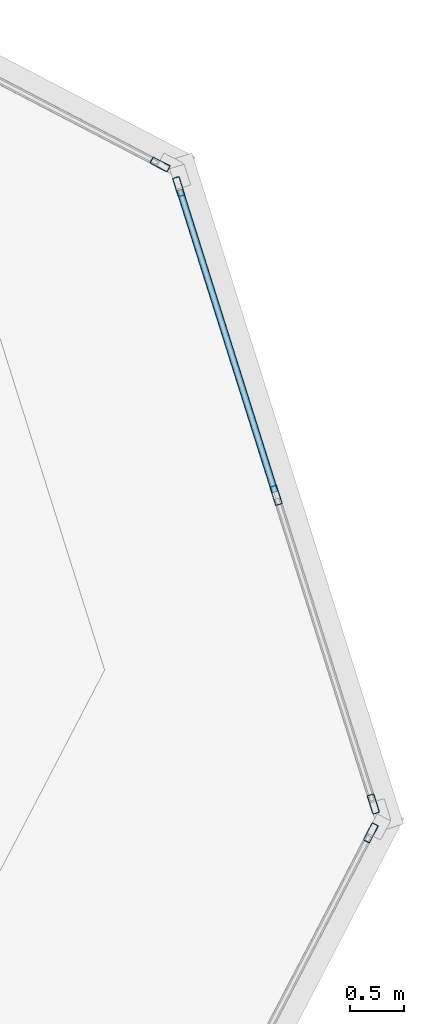
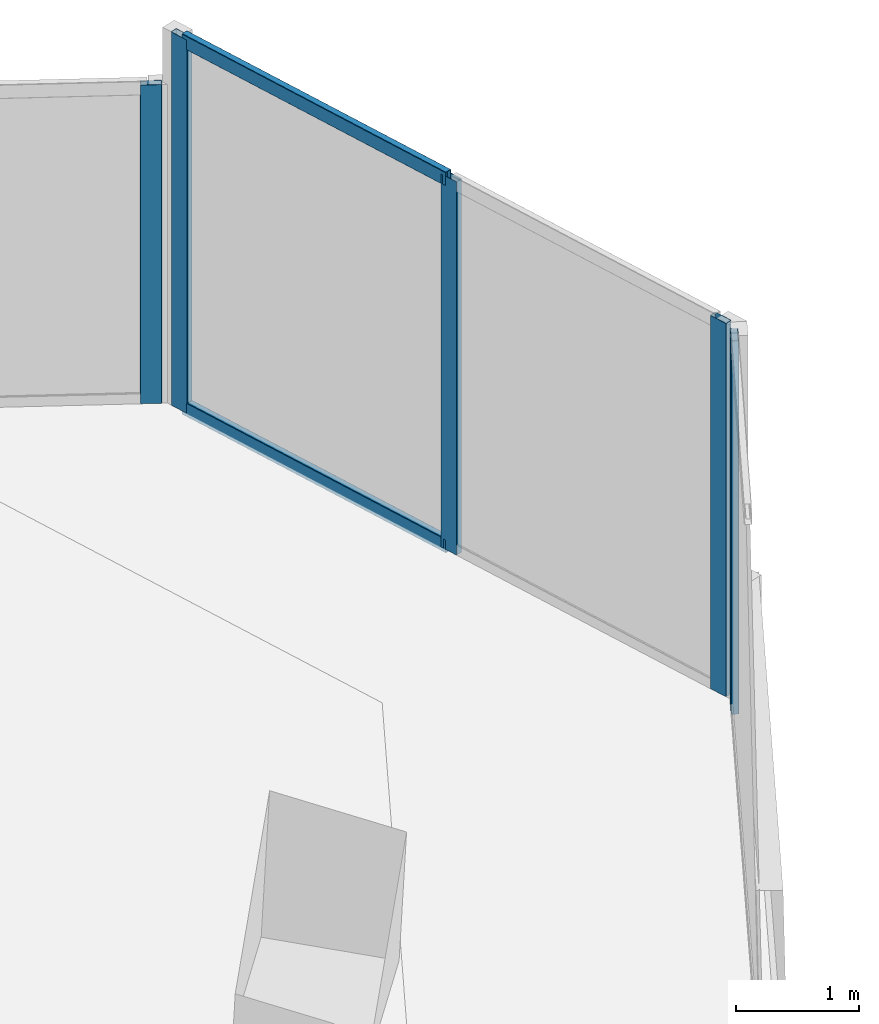
# One storey, part 10 of 22: 7 members, 3 elements without a shape of their own.
"""IFC4 building model written with IfcOpenShell, lengths in metres."""

from ifc_helpers import new_model, si_unit, direction, frame, origin, origin_2d, place, context, subcontext, project, spatial, hollow_rectangle, extrude, source, transform, mapped, material, material_profile, profile_set, type_object, element, aggregate, save


model = new_model("IFC4")

# Units and contexts
model_context = context("Model", 3, precision=1e-05, world=origin(), true_north=direction((0.0, 1.0)))
body_context = subcontext(model_context, "Body", "Model", "MODEL_VIEW")
ifc_project = project(units=[si_unit("LENGTHUNIT", "METRE"), si_unit("AREAUNIT", "SQUARE_METRE"), si_unit("VOLUMEUNIT", "CUBIC_METRE"), si_unit("PLANEANGLEUNIT", "RADIAN"), si_unit("MASSUNIT", "GRAM", prefix="KILO")], contexts=[model_context])

# Site, building, storey
site_placement = place(None, origin())
site = spatial("IfcSite", under=ifc_project, at=site_placement, CompositionType="ELEMENT")
building_placement = place(site_placement, origin())
building = spatial("IfcBuilding", under=site, at=building_placement, Name="Torre Montelarca", CompositionType="ELEMENT")
storey_placement = place(building_placement, frame((0.0, 0.0, 175.0)))
storey = spatial("IfcBuildingStorey", under=building, at=storey_placement, Name="L39", CompositionType="ELEMENT", Elevation=175.0)

# Curtain wall, members
ifc_material_1 = material(Name="Insulated low-E laminated glass", Category="glass")
curtain_wall_type = type_object("IfcCurtainWallType", Name="CW-SYS-Z2", PredefinedType="USERDEFINED", material=ifc_material_1)
curtain_wall_1_placement = place(storey_placement, origin())
curtain_wall_1 = element("IfcCurtainWall", 1, at=curtain_wall_1_placement, inside=storey, type_object=curtain_wall_type, Name="L39 Curtain Wall Run CW-T3-L39-E07-B1", ObjectType="UNITISED GLAZING", PredefinedType="USERDEFINED")
ifc_material_2 = material(Name="Anodised aluminium AA 6063-T6", Category="aluminium")
ifc_material_profile_1 = material_profile(ifc_material_2, hollow_rectangle(XDim=0.06494140625, YDim=0.139892578125, WallThickness=0.00390625, InnerFilletRadius=0.00390625, OuterFilletRadius=0.008056640625, at=origin_2d()), Name="ALU65X140X4", Category="aluminium")
ifc_profile_set_1 = profile_set([ifc_material_profile_1], Name="Anodised aluminium AA 6063-T6")
member_type_1 = type_object("IfcMemberType", Name="CWT-ALU140", PredefinedType="USERDEFINED", material=ifc_profile_set_1)
shared_shape_1 = source(origin(), body_context, "Body", "SweptSolid", [
    extrude(hollow_rectangle(XDim=0.06494140625, YDim=0.139892578125, WallThickness=0.00390625, InnerFilletRadius=0.00390625, OuterFilletRadius=0.008056640625, at=origin_2d()), origin(), (0.0, 0.0, 1.0), 2.918701171875),
])
member_1_placement = place(storey_placement, frame((52.77685546875, 31.367431640625, 0.032470703125), z_axis=(-0.30062691611, 0.953741819, 0.0), x_axis=(-0.953741819, -0.30062691611, 0.0)))
member_1 = element("IfcMember", 2, at=member_1_placement, type_object=member_type_1, Name="CW transom 2.1", ObjectType="TRANSOM", PredefinedType="USERDEFINED", context=body_context, shape_type="MappedRepresentation", body=[
    mapped(shared_shape_1, transform((0.0, 0.0, 0.0), scale=1.0)),
])
member_2_placement = place(storey_placement, frame((52.77685546875, 31.367431640625, 3.6875), z_axis=(-0.30062691611, 0.953741819, 0.0), x_axis=(-0.953741819, -0.30062691611, 0.0)))
member_2 = element("IfcMember", 3, at=member_2_placement, type_object=member_type_1, Name="CW transom 2.2", ObjectType="TRANSOM", PredefinedType="USERDEFINED", context=body_context, shape_type="MappedRepresentation", body=[
    mapped(shared_shape_1, transform((0.0, 0.0, 0.0), scale=1.0)),
])

# Curtain wall, member
curtain_wall_2_placement = place(storey_placement, origin())
curtain_wall_2 = element("IfcCurtainWall", 4, at=curtain_wall_2_placement, inside=storey, type_object=curtain_wall_type, Name="L39 Curtain Wall Run CW-T3-L39-E06-B1", ObjectType="UNITISED GLAZING", PredefinedType="USERDEFINED")
ifc_material_profile_2 = material_profile(ifc_material_2, hollow_rectangle(XDim=0.06494140625, YDim=0.179931640625, WallThickness=0.00390625, InnerFilletRadius=0.00390625, OuterFilletRadius=0.008056640625, at=origin_2d()), Name="ALU65X180X4", Category="aluminium")
ifc_profile_set_2 = profile_set([ifc_material_profile_2], Name="Anodised aluminium AA 6063-T6")
member_type_2 = type_object("IfcMemberType", Name="CWM-ALU180", PredefinedType="MULLION", material=ifc_profile_set_2)
shared_shape_2 = source(origin(), body_context, "Body", "SweptSolid", [
    extrude(hollow_rectangle(XDim=0.06494140625, YDim=0.179931640625, WallThickness=0.00390625, InnerFilletRadius=0.00390625, OuterFilletRadius=0.008056640625, at=origin_2d()), origin(), (0.0, 0.0, 1.0), 3.719970703125),
])
member_3_placement = place(storey_placement, frame((53.66064453125, 28.22509765625, 0.0), z_axis=(0.0, 0.0, 1.0), x_axis=(-0.887014000849, 0.461742528145, 0.0)))
member_3 = element("IfcMember", 5, at=member_3_placement, type_object=member_type_2, Name="CW mullion 3", PredefinedType="MULLION", context=body_context, shape_type="MappedRepresentation", body=[
    mapped(shared_shape_2, transform((0.0, 0.0, 0.0), scale=1.0)),
])
aggregate(curtain_wall_2, [member_3])

# Member
member_4_placement = place(storey_placement, frame((53.683837890625, 28.490966796875, 0.0), z_axis=(0.0, 0.0, 1.0), x_axis=(-0.953719112102, -0.30069894448, 0.0)))
member_4 = element("IfcMember", 6, at=member_4_placement, type_object=member_type_2, Name="CW mullion 1", PredefinedType="MULLION", context=body_context, shape_type="MappedRepresentation", body=[
    mapped(shared_shape_2, transform((0.0, 0.0, 0.0), scale=1.0)),
])

member_5_placement = place(storey_placement, frame((52.786865234375, 31.336669921875, 0.0), z_axis=(0.0, 0.0, 1.0), x_axis=(-0.953719112102, -0.30069894448, 0.0)))
member_5 = element("IfcMember", 7, at=member_5_placement, type_object=member_type_2, Name="CW mullion 2", PredefinedType="MULLION", context=body_context, shape_type="MappedRepresentation", body=[
    mapped(shared_shape_2, transform((0.0, 0.0, 0.0), scale=1.0)),
])

member_6_placement = place(storey_placement, frame((51.8896484375, 34.18212890625, 0.0), z_axis=(0.0, 0.0, 1.0), x_axis=(-0.953719112102, -0.30069894448, 0.0)))
member_6 = element("IfcMember", 8, at=member_6_placement, type_object=member_type_2, Name="CW mullion 3", PredefinedType="MULLION", context=body_context, shape_type="MappedRepresentation", body=[
    mapped(shared_shape_2, transform((0.0, 0.0, 0.0), scale=1.0)),
])

aggregate(curtain_wall_1, [member_4, member_5, member_6, member_1, member_2])

# Curtain wall, member
curtain_wall_3_placement = place(storey_placement, origin())
curtain_wall_3 = element("IfcCurtainWall", 9, at=curtain_wall_3_placement, inside=storey, type_object=curtain_wall_type, Name="L39 Curtain Wall Run CW-T3-L39-E08-B1", ObjectType="UNITISED GLAZING", PredefinedType="USERDEFINED")
shared_shape_3 = source(origin(), body_context, "Body", "SweptSolid", [
    extrude(hollow_rectangle(XDim=0.06494140625, YDim=0.179931640625, WallThickness=0.00390625, InnerFilletRadius=0.00390625, OuterFilletRadius=0.008056640625, at=origin_2d()), origin(), (0.0, 0.0, 1.0), 3.175048828125),
])
member_7_placement = place(storey_placement, frame((51.718017578125, 34.38671875, 0.0), z_axis=(0.0, 0.0, 1.0), x_axis=(-0.461747780498, -0.887011266673, 0.0)))
member_7 = element("IfcMember", 10, at=member_7_placement, type_object=member_type_2, Name="CW mullion 1", PredefinedType="MULLION", context=body_context, shape_type="MappedRepresentation", body=[
    mapped(shared_shape_3, transform((0.0, 0.0, 0.0), scale=1.0)),
])
aggregate(curtain_wall_3, [member_7])

save(model, "model.ifc")
